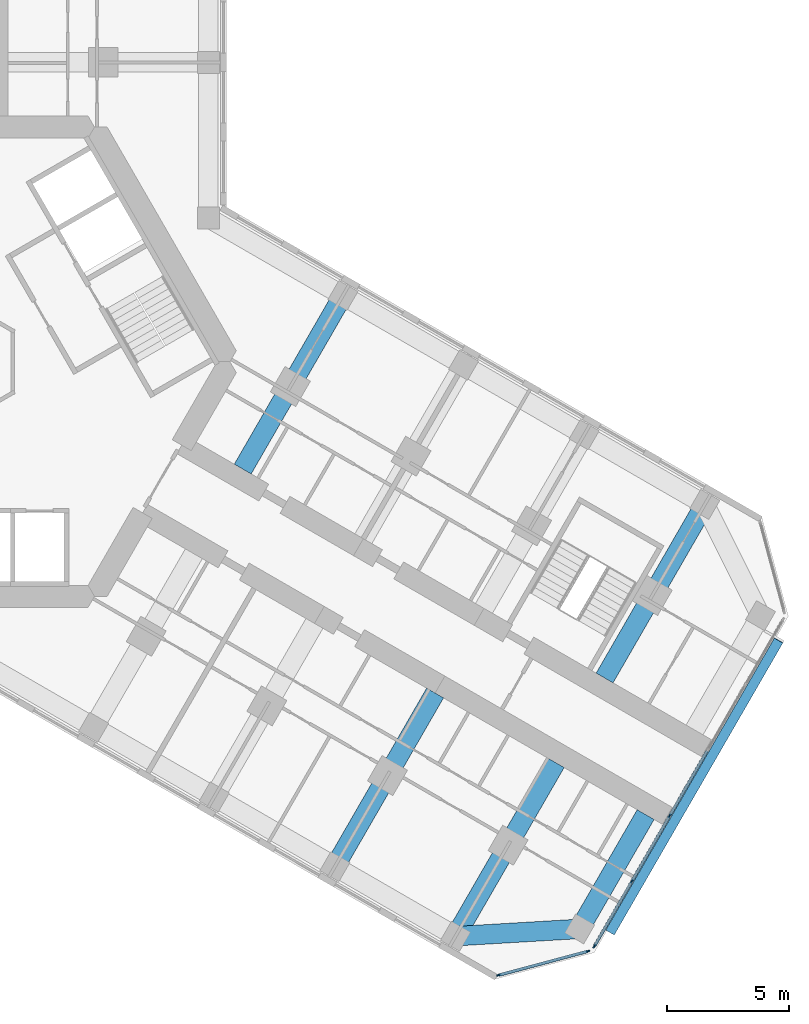
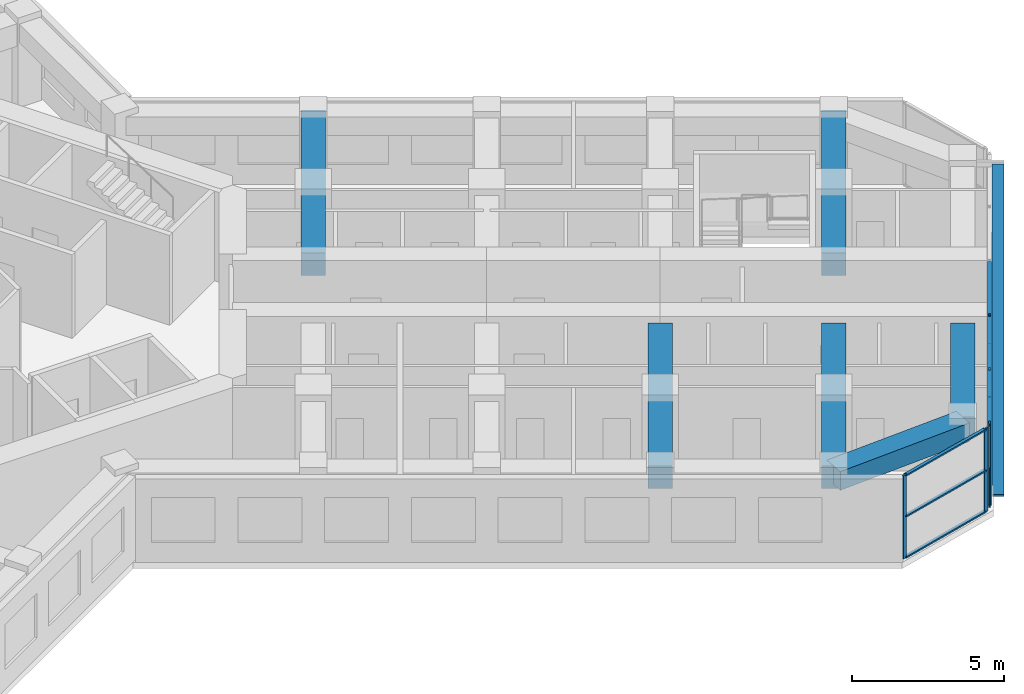
# One storey, part 5 of 19: 15 members, 6 beams, 2 elements without a shape of their own.
"""IFC4 building model written with IfcOpenShell, lengths in metres."""

from ifc_helpers import new_model, si_unit, direction, frame, origin, origin_2d, place, context, subcontext, project, spatial, rectangle, extrude, material, material_profile, profile_set, type_object, element, aggregate, save


model = new_model("IFC4")

# Units and contexts
model_context = context("Model", 3, precision=1e-05, world=origin(), true_north=direction((0.0, 1.0)))
body_context = subcontext(model_context, "Body", "Model", "MODEL_VIEW")
ifc_project = project(units=[si_unit("LENGTHUNIT", "METRE"), si_unit("AREAUNIT", "SQUARE_METRE"), si_unit("VOLUMEUNIT", "CUBIC_METRE"), si_unit("PLANEANGLEUNIT", "RADIAN"), si_unit("MASSUNIT", "GRAM", prefix="KILO")], contexts=[model_context])

# Site, building, storey
site_placement = place(None, origin())
site = spatial("IfcSite", under=ifc_project, at=site_placement, CompositionType="ELEMENT")
building_placement = place(site_placement, origin())
building = spatial("IfcBuilding", under=site, at=building_placement, Name="Kosmar Iwan School Tower", CompositionType="ELEMENT")
storey_placement = place(building_placement, frame((0.0, 0.0, 161.60009765625)))
storey = spatial("IfcBuildingStorey", under=building, at=storey_placement, Name="L40", CompositionType="ELEMENT", Elevation=161.60009765625)

# Member
ifc_material_1 = material(Name="Black anodised aluminium", Category="aluminium")
ifc_material_profile_1 = material_profile(ifc_material_1, rectangle(XDim=0.10009765625, YDim=0.39990234375, at=origin_2d()), Name="FIN 100x400")
ifc_profile_set_1 = profile_set([ifc_material_profile_1], Name="Black anodised aluminium")
member_type_1 = type_object("IfcMemberType", Name="Diagonal fin 100x400", PredefinedType="USERDEFINED", material=ifc_profile_set_1)
member_1_placement = place(storey_placement, frame((26.645263671875, -23.34912109375, -0.150146484375), z_axis=(0.483793446988, 0.837970316603, 0.25248692866), x_axis=(-0.126241714543, -0.218661104574, 0.96760030532)))
element("IfcMember", 1, at=member_1_placement, inside=storey, type_object=member_type_1, Name="Diagonal fin L40-F03", ObjectType="FIN", PredefinedType="USERDEFINED", context=body_context, shape_type="SweptSolid", body=[
    extrude(rectangle(XDim=0.10009765625, YDim=0.39990234375, at=origin_2d()), origin(), (0.0, 0.0, 1.0), 14.258544921875),
])

# Curtain wall, members
ifc_material_2 = material(Name="Dark glass in black aluminium frame", Category="aluminium")
curtain_wall_type_1 = type_object("IfcCurtainWallType", Name="Chamfer curtain wall dark glass", PredefinedType="USERDEFINED", material=ifc_material_2)
curtain_wall_1_placement = place(storey_placement, origin())
curtain_wall_1 = element("IfcCurtainWall", 2, at=curtain_wall_1_placement, inside=storey, type_object=curtain_wall_type_1, Name="Curtain wall L40-F02", ObjectType="FACETED CURTAIN WALL", PredefinedType="USERDEFINED")
ifc_material_3 = material(Name="Black anodised aluminium", Category="aluminium")
ifc_material_profile_2 = material_profile(ifc_material_3, rectangle(XDim=0.06005859375, YDim=0.159912109375, at=origin_2d()), Name="MULLION 60x160")
ifc_profile_set_2 = profile_set([ifc_material_profile_2], Name="Black anodised aluminium")
member_type_2 = type_object("IfcMemberType", Name="Mullion 60x160", PredefinedType="MULLION", material=ifc_profile_set_2)
member_2_placement = place(storey_placement, frame((22.0830078125, -25.102294921875, 0.0), z_axis=(0.0, 0.0, 1.0), x_axis=(-0.258818861462, 0.965925875495, 0.0)))
member_2 = element("IfcMember", 3, at=member_2_placement, type_object=member_type_2, Name="CW2 mullion 1", PredefinedType="MULLION", context=body_context, shape_type="SweptSolid", body=[
    extrude(rectangle(XDim=0.06005859375, YDim=0.159912109375, at=origin_2d()), origin(), (0.0, 0.0, 1.0), 3.349853515625),
])
member_3_placement = place(storey_placement, frame((25.733154296875, -24.124267578125, 0.0), z_axis=(0.0, 0.0, 1.0), x_axis=(-0.258818861462, 0.965925875495, 0.0)))
member_3 = element("IfcMember", 4, at=member_3_placement, type_object=member_type_2, Name="CW2 mullion 2", PredefinedType="MULLION", context=body_context, shape_type="SweptSolid", body=[
    extrude(rectangle(XDim=0.06005859375, YDim=0.159912109375, at=origin_2d()), origin(), (0.0, 0.0, 1.0), 3.349853515625),
])

ifc_material_4 = material(Name="Dark glass in black aluminium frame", Category="aluminium")
curtain_wall_type_2 = type_object("IfcCurtainWallType", Name="Tower curtain wall dark glass", PredefinedType="USERDEFINED", material=ifc_material_4)
curtain_wall_2_placement = place(storey_placement, origin())
curtain_wall_2 = element("IfcCurtainWall", 5, at=curtain_wall_2_placement, inside=storey, type_object=curtain_wall_type_2, Name="Curtain wall L40-F03", ObjectType="UNITISED CURTAIN WALL", PredefinedType="USERDEFINED")
member_4_placement = place(storey_placement, frame((25.9970703125, -23.921630859375, 0.0), z_axis=(0.0, 0.0, 1.0), x_axis=(-0.866025405329, 0.499999997325, 0.0)))
member_4 = element("IfcMember", 6, at=member_4_placement, type_object=member_type_2, Name="CW1 mullion 1", PredefinedType="MULLION", context=body_context, shape_type="SweptSolid", body=[
    extrude(rectangle(XDim=0.06005859375, YDim=0.159912109375, at=origin_2d()), origin(), (0.0, 0.0, 1.0), 3.349853515625),
])
member_5_placement = place(storey_placement, frame((27.53173828125, -21.263671875, 0.0), z_axis=(0.0, 0.0, 1.0), x_axis=(-0.866025405329, 0.499999997325, 0.0)))
member_5 = element("IfcMember", 7, at=member_5_placement, type_object=member_type_2, Name="CW1 mullion 2", PredefinedType="MULLION", context=body_context, shape_type="SweptSolid", body=[
    extrude(rectangle(XDim=0.06005859375, YDim=0.159912109375, at=origin_2d()), origin(), (0.0, 0.0, 1.0), 3.349853515625),
])
member_6_placement = place(storey_placement, frame((29.081298828125, -18.57958984375, 0.0), z_axis=(0.0, 0.0, 1.0), x_axis=(-0.866025405329, 0.499999997325, 0.0)))
member_6 = element("IfcMember", 8, at=member_6_placement, type_object=member_type_2, Name="CW1 mullion 3", PredefinedType="MULLION", context=body_context, shape_type="SweptSolid", body=[
    extrude(rectangle(XDim=0.06005859375, YDim=0.159912109375, at=origin_2d()), origin(), (0.0, 0.0, 1.0), 3.349853515625),
])

# Beams
ifc_material_5 = material(Name="Concrete C50/60", Category="concrete")
ifc_material_profile_3 = material_profile(ifc_material_5, rectangle(XDim=0.800048828125, YDim=0.75, at=origin_2d()), Name="RC 800x750")
ifc_profile_set_3 = profile_set([ifc_material_profile_3], Name="Concrete C50/60")
beam_type_1 = type_object("IfcBeamType", Name="RC tip beam 800x750", PredefinedType="BEAM", material=ifc_profile_set_3)
beam_1_placement = place(storey_placement, frame((20.31787109375, -23.508544921875, 2.974853515625), z_axis=(0.998260616478, 0.058955420358, 0.0), x_axis=(-0.058955420358, 0.998260616478, 0.0)))
element("IfcBeam", 9, at=beam_1_placement, inside=storey, type_object=beam_type_1, Name="Tip beam CR", PredefinedType="BEAM", context=body_context, shape_type="SweptSolid", body=[
    extrude(rectangle(XDim=0.800048828125, YDim=0.75, at=origin_2d()), origin(), (0.0, 0.0, 1.0), 5.08935546875),
])
beam_2_placement = place(storey_placement, frame((25.3984375, -23.20849609375, 2.974853515625), z_axis=(0.499995103361, 0.866028230842, 0.0), x_axis=(-0.866028230842, 0.499995103361, 0.0)))
element("IfcBeam", 10, at=beam_2_placement, inside=storey, type_object=beam_type_1, Name="Tip beam CR to corridor wall", PredefinedType="BEAM", context=body_context, shape_type="SweptSolid", body=[
    extrude(rectangle(XDim=0.800048828125, YDim=0.75, at=origin_2d()), origin(), (0.0, 0.0, 1.0), 5.39990234375),
])
ifc_material_6 = material(Name="Concrete C50/60", Category="concrete")
ifc_material_profile_4 = material_profile(ifc_material_6, rectangle(XDim=0.800048828125, YDim=0.89990234375, at=origin_2d()), Name="RC 800x900")
ifc_profile_set_4 = profile_set([ifc_material_profile_4], Name="Concrete C50/60")
beam_type_2 = type_object("IfcBeamType", Name="RC transverse beam 800x900", PredefinedType="BEAM", material=ifc_profile_set_4)
for number, where, z_axis, x_axis, name in (
    (11, (15.708740234375, 2.70849609375, 2.89990234375), (-0.499978459874, -0.866037839625, 0.0), (0.866037839625, -0.499978459874, 0.0), "Transverse beam CL1"),
    (12, (30.517822265625, -5.841552734375, 2.89990234375), (-0.500013681986, -0.866017504342, 0.0), (0.866017504342, -0.500013681986, 0.0), "Transverse beam CL4"),
    (13, (15.381591796875, -20.658447265625, 2.89990234375), (0.49999135188, 0.866030396721, 0.0), (-0.866030396721, 0.49999135188, 0.0), "Transverse beam CR3"),
    (14, (20.31787109375, -23.508544921875, 2.89990234375), (0.499978459874, 0.866037839625, 0.0), (-0.866037839625, 0.499978459874, 0.0), "Transverse beam CR4"),
):
    element("IfcBeam", number, at=place(storey_placement, frame(where, z_axis=z_axis, x_axis=x_axis)), inside=storey, type_object=beam_type_2, Name=name, PredefinedType="BEAM", context=body_context, shape_type="SweptSolid", body=[
        extrude(rectangle(XDim=0.800048828125, YDim=0.89990234375, at=origin_2d()), origin(), (0.0, 0.0, 1.0), 8.199951171875),
    ])

# Member
ifc_material_7 = material(Name="Black anodised aluminium", Category="aluminium")
ifc_material_profile_5 = material_profile(ifc_material_7, rectangle(XDim=0.1201171875, YDim=0.06005859375, at=origin_2d()), Name="TRANSOM 60x120")
ifc_profile_set_5 = profile_set([ifc_material_profile_5], Name="Black anodised aluminium")
member_type_3 = type_object("IfcMemberType", Name="Transom 60x120", PredefinedType="USERDEFINED", material=ifc_profile_set_5)
member_7_placement = place(storey_placement, frame((22.11181640625, -25.094482421875, 0.02978515625), z_axis=(0.965923731726, 0.258826861991, 0.0), x_axis=(-0.258826861991, 0.965923731726, 0.0)))
member_7 = element("IfcMember", 15, at=member_7_placement, type_object=member_type_3, Name="CW2 transom 1.1", ObjectType="TRANSOM", PredefinedType="USERDEFINED", context=body_context, shape_type="SweptSolid", body=[
    extrude(rectangle(XDim=0.1201171875, YDim=0.06005859375, at=origin_2d()), origin(), (0.0, 0.0, 1.0), 3.71923828125),
])

member_8_placement = place(storey_placement, frame((22.11181640625, -25.094482421875, 1.6748046875), z_axis=(0.965923731726, 0.258826861991, 0.0), x_axis=(-0.258826861991, 0.965923731726, 0.0)))
member_8 = element("IfcMember", 16, at=member_8_placement, type_object=member_type_3, Name="CW2 transom 1.2", ObjectType="TRANSOM", PredefinedType="USERDEFINED", context=body_context, shape_type="SweptSolid", body=[
    extrude(rectangle(XDim=0.1201171875, YDim=0.06005859375, at=origin_2d()), origin(), (0.0, 0.0, 1.0), 3.71923828125),
])

member_9_placement = place(storey_placement, frame((22.11181640625, -25.094482421875, 3.31982421875), z_axis=(0.965923731726, 0.258826861991, 0.0), x_axis=(-0.258826861991, 0.965923731726, 0.0)))
member_9 = element("IfcMember", 17, at=member_9_placement, type_object=member_type_3, Name="CW2 transom 1.3", ObjectType="TRANSOM", PredefinedType="USERDEFINED", context=body_context, shape_type="SweptSolid", body=[
    extrude(rectangle(XDim=0.1201171875, YDim=0.06005859375, at=origin_2d()), origin(), (0.0, 0.0, 1.0), 3.71923828125),
])

aggregate(curtain_wall_1, [member_2, member_3, member_7, member_8, member_9])

member_10_placement = place(storey_placement, frame((26.01220703125, -23.895751953125, 0.02978515625), z_axis=(0.499986971506, 0.866032925658, 0.0), x_axis=(-0.866032925658, 0.499986971506, 0.0)))
member_10 = element("IfcMember", 18, at=member_10_placement, type_object=member_type_3, Name="CW1 transom 1.1", ObjectType="TRANSOM", PredefinedType="USERDEFINED", context=body_context, shape_type="SweptSolid", body=[
    extrude(rectangle(XDim=0.1201171875, YDim=0.06005859375, at=origin_2d()), origin(), (0.0, 0.0, 1.0), 3.00927734375),
])

member_11_placement = place(storey_placement, frame((26.01220703125, -23.895751953125, 3.31982421875), z_axis=(0.499986971506, 0.866032925658, 0.0), x_axis=(-0.866032925658, 0.499986971506, 0.0)))
member_11 = element("IfcMember", 19, at=member_11_placement, type_object=member_type_3, Name="CW1 transom 1.2", ObjectType="TRANSOM", PredefinedType="USERDEFINED", context=body_context, shape_type="SweptSolid", body=[
    extrude(rectangle(XDim=0.1201171875, YDim=0.06005859375, at=origin_2d()), origin(), (0.0, 0.0, 1.0), 3.00927734375),
])

member_12_placement = place(storey_placement, frame((27.546875, -21.237548828125, 0.02978515625), z_axis=(0.499975102327, 0.866039777986, 0.0), x_axis=(-0.866039777986, 0.499975102327, 0.0)))
member_12 = element("IfcMember", 20, at=member_12_placement, type_object=member_type_3, Name="CW1 transom 2.1", ObjectType="TRANSOM", PredefinedType="USERDEFINED", context=body_context, shape_type="SweptSolid", body=[
    extrude(rectangle(XDim=0.1201171875, YDim=0.06005859375, at=origin_2d()), origin(), (0.0, 0.0, 1.0), 3.039306640625),
])

member_13_placement = place(storey_placement, frame((27.546875, -21.237548828125, 3.31982421875), z_axis=(0.499975102327, 0.866039777986, 0.0), x_axis=(-0.866039777986, 0.499975102327, 0.0)))
member_13 = element("IfcMember", 21, at=member_13_placement, type_object=member_type_3, Name="CW1 transom 2.2", ObjectType="TRANSOM", PredefinedType="USERDEFINED", context=body_context, shape_type="SweptSolid", body=[
    extrude(rectangle(XDim=0.1201171875, YDim=0.06005859375, at=origin_2d()), origin(), (0.0, 0.0, 1.0), 3.039306640625),
])

member_14_placement = place(storey_placement, frame((29.096435546875, -18.553466796875, 0.02978515625), z_axis=(0.499975102327, 0.866039777986, 0.0), x_axis=(-0.866039777986, 0.499975102327, 0.0)))
member_14 = element("IfcMember", 22, at=member_14_placement, type_object=member_type_3, Name="CW1 transom 3.1", ObjectType="TRANSOM", PredefinedType="USERDEFINED", context=body_context, shape_type="SweptSolid", body=[
    extrude(rectangle(XDim=0.1201171875, YDim=0.06005859375, at=origin_2d()), origin(), (0.0, 0.0, 1.0), 3.039306640625),
])

member_15_placement = place(storey_placement, frame((29.096435546875, -18.553466796875, 3.31982421875), z_axis=(0.499975102327, 0.866039777986, 0.0), x_axis=(-0.866039777986, 0.499975102327, 0.0)))
member_15 = element("IfcMember", 23, at=member_15_placement, type_object=member_type_3, Name="CW1 transom 3.2", ObjectType="TRANSOM", PredefinedType="USERDEFINED", context=body_context, shape_type="SweptSolid", body=[
    extrude(rectangle(XDim=0.1201171875, YDim=0.06005859375, at=origin_2d()), origin(), (0.0, 0.0, 1.0), 3.039306640625),
])

aggregate(curtain_wall_2, [member_4, member_5, member_6, member_10, member_11, member_12, member_13, member_14, member_15])

save(model, "model.ifc")
